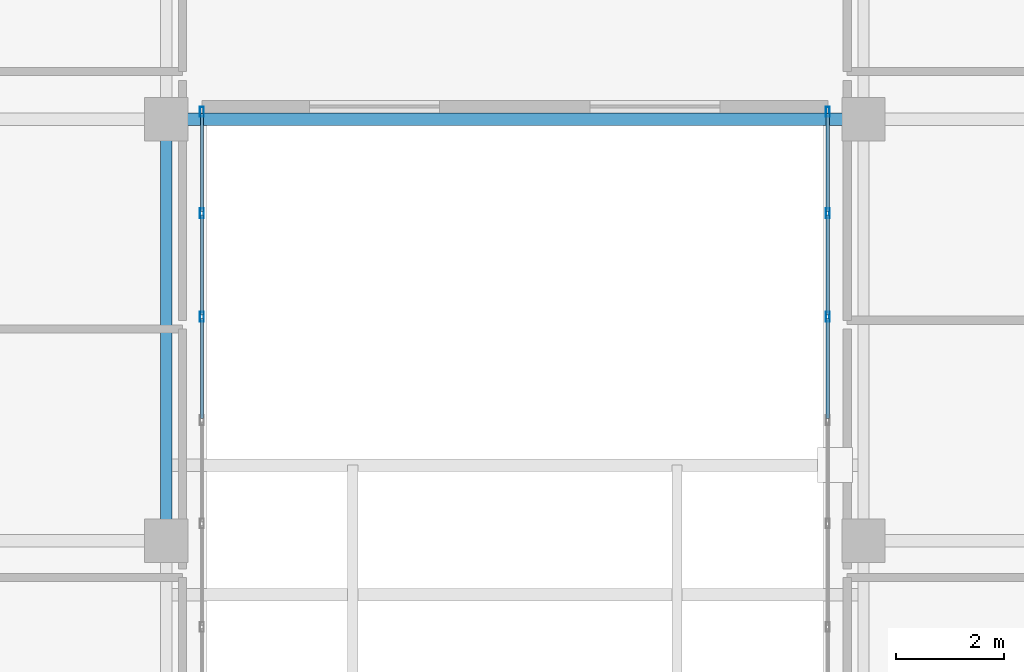
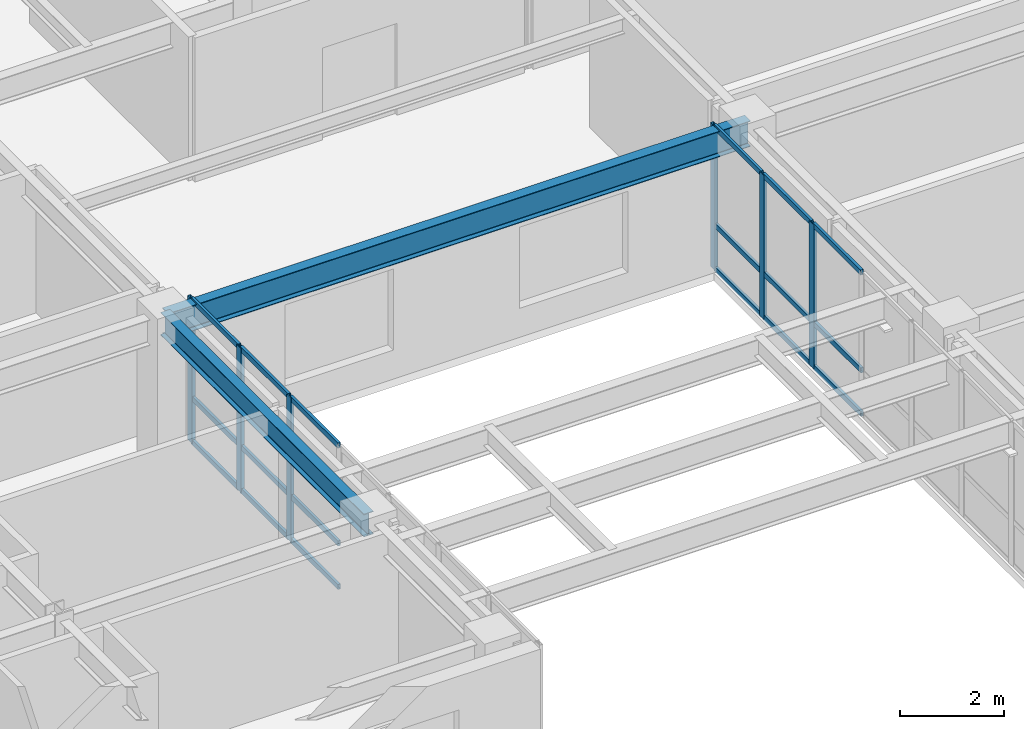
# One storey, part 4 of 15: 24 members, 2 beams, 2 elements without a shape of their own.
"""IFC4 building model written with IfcOpenShell, lengths in metres."""

import ifcopenshell
import ifcopenshell.guid

model = None  # the IFC model being written
_history = None  # IfcOwnerHistory: only IFC2X3 demands one
_inside = {}  # id of a spatial element -> (the spatial element, [elements in it])
_under = {}  # id of a project, library or spatial element -> (it, [spatial elements below it])
_declared = {}  # id of a project -> (the project, [libraries it declares])
_typed = {}  # id of a type object -> (the type object, [elements of that type])
_made_of = {}  # id of a material, layer set ... -> (it, [elements and type objects made of it])


def new_model(schema):
    """Start an empty IFC model of exactly this schema.

    Asked for "IFC4X3", IfcOpenShell would pick the latest addendum, in which some entities
    have other attributes; the version numbers below select the first issue.
    IFC2X3 requires an IfcOwnerHistory on every rooted entity: one is made here for all.
    """
    global model, _history
    if schema == "IFC4X3":
        model = ifcopenshell.file(schema_version=(4, 3, 0, 0))
    else:
        model = ifcopenshell.file(schema=schema)
    _inside.clear()
    _under.clear()
    _declared.clear()
    _typed.clear()
    _made_of.clear()
    _history = None
    if model.schema == "IFC2X3":
        org = make("IfcOrganization", Name="unknown")
        user = make(
            "IfcPersonAndOrganization",
            ThePerson=make("IfcPerson", FamilyName="unknown"),
            TheOrganization=org,
        )
        app = make(
            "IfcApplication",
            ApplicationDeveloper=org,
            Version="unknown",
            ApplicationFullName="unknown",
            ApplicationIdentifier="unknown",
        )
        _history = make(
            "IfcOwnerHistory",
            OwningUser=user,
            OwningApplication=app,
            ChangeAction="ADDED",
            CreationDate=0,
        )
    return model


def make(cls, **values):
    """One entity of the class cls with the attributes given. An attribute that is None is left unset."""
    return model.create_entity(
        cls, **{name: value for name, value in values.items() if value is not None}
    )


def rooted(cls, **values):
    """An entity with a GlobalId (a new one), such as an element, a storey or a relation."""
    return make(cls, GlobalId=ifcopenshell.guid.new(), OwnerHistory=_history, **values)


def si_unit(unit_type, name, prefix=None):
    """IfcSIUnit, for example si_unit("LENGTHUNIT", "METRE", prefix="MILLI")."""
    return make("IfcSIUnit", UnitType=unit_type, Prefix=prefix, Name=name)


def assignment(units):
    """IfcUnitAssignment: the units of a project."""
    return None if units is None else make("IfcUnitAssignment", Units=units)


def point(xyz):
    """IfcCartesianPoint."""
    return None if xyz is None else make("IfcCartesianPoint", Coordinates=xyz)


def direction(xyz):
    """IfcDirection."""
    return None if xyz is None else make("IfcDirection", DirectionRatios=xyz)


def frame(location, z_axis=None, x_axis=None):
    """IfcAxis2Placement3D, a coordinate frame: its origin and axes. An axis left out is left unset."""
    return make(
        "IfcAxis2Placement3D",
        Location=point(location),
        Axis=direction(z_axis),
        RefDirection=direction(x_axis),
    )


def frame_2d(location, x_axis=None):
    """IfcAxis2Placement2D, a coordinate frame in the plane: its origin and x axis."""
    return make(
        "IfcAxis2Placement2D", Location=point(location), RefDirection=direction(x_axis)
    )


def origin():
    """The frame at (0, 0, 0) with its axes left unset."""
    return frame((0.0, 0.0, 0.0))


def origin_2d():
    """The frame at (0, 0) in the plane with its x axis left unset."""
    return frame_2d((0.0, 0.0))


def place(relative_to, where):
    """IfcLocalPlacement: puts the frame where relative to a parent placement (None: the world)."""
    return make(
        "IfcLocalPlacement", PlacementRelTo=relative_to, RelativePlacement=where
    )


def context(
    kind, dimensions, precision=None, world=None, true_north=None, identifier=None
):
    """IfcGeometricRepresentationContext, for example the 3D "Model" context."""
    return make(
        "IfcGeometricRepresentationContext",
        ContextIdentifier=identifier,
        ContextType=kind,
        CoordinateSpaceDimension=dimensions,
        Precision=precision,
        WorldCoordinateSystem=world,
        TrueNorth=true_north,
    )


def subcontext(parent, identifier, kind, view, scale=None):
    """IfcGeometricRepresentationSubContext, for example "Body" below "Model"."""
    return make(
        "IfcGeometricRepresentationSubContext",
        ContextIdentifier=identifier,
        ContextType=kind,
        ParentContext=parent,
        TargetScale=scale,
        TargetView=view,
    )


def project(units=None, contexts=None):
    """IfcProject with its units and contexts."""
    return rooted(
        "IfcProject",
        Name="project",
        RepresentationContexts=contexts,
        UnitsInContext=assignment(units),
    )


def spatial(cls, under=None, at=None, **own):
    """A site, building, storey or space (cls), placed at a placement, below another one or the project."""
    s = rooted(cls, ObjectPlacement=at, **own)
    if under is not None:
        _under.setdefault(under.id(), (under, []))[1].append(s)
    return s


def profile(cls, at=None, kind="AREA", **sizes):
    """A parametric profile (cls). Its sizes go by their IFC names, for example OverallWidth=200.0."""
    return make(cls, ProfileType=kind, Position=at, **sizes)


def hollow_rectangle(**sizes):
    """IfcRectangleHollowProfileDef."""
    return profile("IfcRectangleHollowProfileDef", **sizes)


def i_section(**sizes):
    """IfcIShapeProfileDef."""
    return profile("IfcIShapeProfileDef", **sizes)


def extrude(swept, where, along, depth):
    """IfcExtrudedAreaSolid: the profile swept, set in the frame where, extruded along a direction by depth."""
    return make(
        "IfcExtrudedAreaSolid",
        SweptArea=swept,
        Position=where,
        ExtrudedDirection=direction(along),
        Depth=depth,
    )


def shape(context_of_items, identifier, shape_type, items):
    """IfcShapeRepresentation: the items that make up one representation, for example the "Body"."""
    return make(
        "IfcShapeRepresentation",
        ContextOfItems=context_of_items,
        RepresentationIdentifier=identifier,
        RepresentationType=shape_type,
        Items=items,
    )


def source(mapping_origin, context_of_items, identifier, shape_type, items):
    """IfcRepresentationMap: a shape defined once, which mapped items show again and again."""
    return make(
        "IfcRepresentationMap",
        MappingOrigin=mapping_origin,
        MappedRepresentation=shape(context_of_items, identifier, shape_type, items),
    )


def transform(
    local_origin,
    x_axis=None,
    y_axis=None,
    z_axis=None,
    scale=None,
    scale2=None,
    scale3=None,
    uniform=True,
):
    """IfcCartesianTransformationOperator3D, or its non-uniform kind. x_axis, y_axis, z_axis: its Axis1, 2, 3."""
    if uniform:
        return make(
            "IfcCartesianTransformationOperator3D",
            Axis1=direction(x_axis),
            Axis2=direction(y_axis),
            LocalOrigin=point(local_origin),
            Scale=scale,
            Axis3=direction(z_axis),
        )
    return make(
        "IfcCartesianTransformationOperator3DnonUniform",
        Axis1=direction(x_axis),
        Axis2=direction(y_axis),
        LocalOrigin=point(local_origin),
        Scale=scale,
        Axis3=direction(z_axis),
        Scale2=scale2,
        Scale3=scale3,
    )


def mapped(mapping_source, mapping_target):
    """IfcMappedItem: shows the shape of a source again, moved by a transform."""
    return make(
        "IfcMappedItem", MappingSource=mapping_source, MappingTarget=mapping_target
    )


def material(Name=None, Category=None):
    """IfcMaterial."""
    return make("IfcMaterial", Name=Name, Category=Category)


def layer(
    of_material, thickness, ventilated=None, Name=None, Category=None, Priority=None
):
    """IfcMaterialLayer: one layer of a wall or slab, of a material (None: an air gap)."""
    return make(
        "IfcMaterialLayer",
        Material=of_material,
        LayerThickness=thickness,
        IsVentilated=ventilated,
        Name=Name,
        Category=Category,
        Priority=Priority,
    )


def layer_set(layers, Name=None):
    """IfcMaterialLayerSet."""
    return make("IfcMaterialLayerSet", MaterialLayers=layers, LayerSetName=Name)


def material_profile(
    of_material, cross_section, Name=None, Category=None, Priority=None
):
    """IfcMaterialProfile: a cross section and its material."""
    return make(
        "IfcMaterialProfile",
        Name=Name,
        Material=of_material,
        Profile=cross_section,
        Priority=Priority,
        Category=Category,
    )


def profile_set(profiles, Name=None, composite=None):
    """IfcMaterialProfileSet."""
    return make(
        "IfcMaterialProfileSet",
        Name=Name,
        MaterialProfiles=profiles,
        CompositeProfile=composite,
    )


def made_of(thing, what):
    """Note that an element or type object is made of a material, layer set ...; save() writes the relation."""
    if what is not None:
        _made_of.setdefault(what.id(), (what, []))[1].append(thing)
    return thing


def type_object(cls, material=None, **own):
    """A type object (cls), such as IfcWallType, which elements share."""
    return made_of(rooted(cls, **own), material)


def type_shapes(of_type, sources):
    """Give a type object the sources (RepresentationMaps) that its elements show as mapped items."""
    of_type.RepresentationMaps = sources


def element(
    cls,
    number,
    at=None,
    inside=None,
    cuts=None,
    type_object=None,
    material=None,
    context=None,
    identifier="Body",
    shape_type=None,
    held_by="IfcProductDefinitionShape",
    body=None,
    shapes=None,
    **own,
):
    """One element of the class cls, such as IfcWall. Its Tag is "e" and its number.

    at: its placement. inside: the storey or other place that contains it. cuts: it is an
    opening in that element (IfcRelVoidsElement). A single representation is given by context,
    identifier, shape_type and body (its items); several are given by shapes. held_by: the class
    of the entity that holds the representations. save() writes the other relations.
    """
    e = rooted(cls, Tag="e%d" % number, ObjectPlacement=at, **own)
    if body is not None:
        shapes = [shape(context, identifier, shape_type, body)]
    if shapes is not None:
        e.Representation = make(held_by, Representations=shapes)
    if inside is not None:
        _inside.setdefault(inside.id(), (inside, []))[1].append(e)
    if cuts is not None:
        rooted(
            "IfcRelVoidsElement", RelatingBuildingElement=cuts, RelatedOpeningElement=e
        )
    if type_object is not None:
        _typed.setdefault(type_object.id(), (type_object, []))[1].append(e)
    return made_of(e, material)


def aggregate(whole, parts):
    """IfcRelAggregates: a whole, such as a stair, and the parts it consists of."""
    return rooted("IfcRelAggregates", RelatingObject=whole, RelatedObjects=parts)


def save(model, path):
    """Write the relations noted so far, then the file.

    IfcRelAggregates (storeys below a building ...), IfcRelContainedInSpatialStructure (elements
    in a storey), IfcRelDefinesByType, IfcRelAssociatesMaterial and IfcRelDeclares: one each for
    every whole, place, type object, material and project.
    """
    for whole, parts in _under.values():
        aggregate(whole, parts)
    for where, things in _inside.values():
        rooted(
            "IfcRelContainedInSpatialStructure",
            RelatedElements=things,
            RelatingStructure=where,
        )
    for kind, things in _typed.values():
        rooted("IfcRelDefinesByType", RelatedObjects=things, RelatingType=kind)
    for what, things in _made_of.values():
        rooted("IfcRelAssociatesMaterial", RelatedObjects=things, RelatingMaterial=what)
    for by, libraries in _declared.values():
        rooted("IfcRelDeclares", RelatingContext=by, RelatedDefinitions=libraries)
    model.write(path)


model = new_model("IFC4")

# Units and contexts
model_context = context("Model", 3, precision=1e-05, world=origin(), true_north=direction((0.0, 1.0)))
body_context = subcontext(model_context, "Body", "Model", "MODEL_VIEW")
ifc_project = project(units=[si_unit("LENGTHUNIT", "METRE"), si_unit("AREAUNIT", "SQUARE_METRE"), si_unit("VOLUMEUNIT", "CUBIC_METRE"), si_unit("PLANEANGLEUNIT", "RADIAN"), si_unit("MASSUNIT", "GRAM", prefix="KILO")], contexts=[model_context])

# Site, building, storey
site_placement = place(None, origin())
site = spatial("IfcSite", under=ifc_project, at=site_placement, CompositionType="ELEMENT")
building_placement = place(site_placement, origin())
building = spatial("IfcBuilding", under=site, at=building_placement, Name="Tolvann Quenvar Hotel", CompositionType="ELEMENT")
storey_placement = place(building_placement, frame((0.0, 0.0, 164.800048828125)))
storey = spatial("IfcBuildingStorey", under=building, at=storey_placement, Name="L43", CompositionType="ELEMENT", Elevation=164.800048828125)

# Beams
ifc_material_1 = material(Name="Steel Grade 350", Category="steel")
ifc_material_profile_1 = material_profile(ifc_material_1, i_section(OverallWidth=0.208984375, OverallDepth=0.532958984375, WebThickness=0.01025390625, FlangeThickness=0.015625, FilletRadius=0.013916015625, at=origin_2d()), Name="530UB92")
ifc_profile_set_1 = profile_set([ifc_material_profile_1], Name="Steel Grade 350")
beam_type_1 = type_object("IfcBeamType", Name="BM_GIRD_530UB92", PredefinedType="BEAM", material=ifc_profile_set_1)
shared_shape_1 = source(origin(), body_context, "Body", "SweptSolid", [
    extrude(i_section(OverallWidth=0.208984375, OverallDepth=0.532958984375, WebThickness=0.01025390625, FlangeThickness=0.015625, FilletRadius=0.013916015625, at=origin_2d()), origin(), (0.0, 0.0, 1.0), 7.800048828125),
])
type_shapes(beam_type_1, [shared_shape_1])
beam_1_placement = place(storey_placement, frame((22.050048828125, 8.199951171875, 3.103515625), z_axis=(0.0, 1.0, 0.0), x_axis=(-1.0, 0.0, 0.0)))
element("IfcBeam", 1, at=beam_1_placement, inside=storey, type_object=beam_type_1, Name="BM-L43-NS-E3-E4", PredefinedType="BEAM", context=body_context, shape_type="MappedRepresentation", body=[
    mapped(shared_shape_1, transform((0.0, 0.0, 0.0), x_axis=(1.0, 0.0, 0.0), y_axis=(0.0, 1.0, 0.0), z_axis=(0.0, 0.0, 1.0), scale=1.0)),
])
ifc_material_profile_2 = material_profile(ifc_material_1, i_section(OverallWidth=0.22802734375, OverallDepth=0.60205078125, WebThickness=0.010498046875, FlangeThickness=0.014892578125, FilletRadius=0.013916015625, at=origin_2d()), Name="610UB101")
ifc_profile_set_2 = profile_set([ifc_material_profile_2], Name="Steel Grade 350")
beam_type_2 = type_object("IfcBeamType", Name="BM_GIRD_610UB101", PredefinedType="BEAM", material=ifc_profile_set_2)
shared_shape_2 = source(origin(), body_context, "Body", "SweptSolid", [
    extrude(i_section(OverallWidth=0.22802734375, OverallDepth=0.60205078125, WebThickness=0.010498046875, FlangeThickness=0.014892578125, FilletRadius=0.013916015625, at=origin_2d()), origin(), (0.0, 0.0, 1.0), 12.89990234375),
])
type_shapes(beam_type_2, [shared_shape_2])
beam_2_placement = place(storey_placement, frame((22.050048828125, 16.0, 3.06884765625), z_axis=(1.0, 0.0, 0.0), x_axis=(0.0, 1.0, 0.0)))
element("IfcBeam", 2, at=beam_2_placement, inside=storey, type_object=beam_type_2, Name="BM-L43-EW-4-E4-F4", PredefinedType="BEAM", context=body_context, shape_type="MappedRepresentation", body=[
    mapped(shared_shape_2, transform((0.0, 0.0, 0.0), x_axis=(1.0, 0.0, 0.0), y_axis=(0.0, 1.0, 0.0), z_axis=(0.0, 0.0, 1.0), scale=1.0)),
])

# Curtain wall, members
ifc_material_2 = material(Name="Thermally broken anodised architectural aluminium 6063-T6 and laminated low-E glass", Category="aluminium")
ifc_layer = layer(ifc_material_2, 0.179931640625)
ifc_layer_set = layer_set([ifc_layer], Name="Thermally broken anodised architectural aluminium 6063-T6 and laminated low-E glass")
curtain_wall_type = type_object("IfcCurtainWallType", Name="CW_SYS_SLOT_03", PredefinedType="USERDEFINED", material=ifc_layer_set)
curtain_wall_1_placement = place(storey_placement, origin())
curtain_wall_1 = element("IfcCurtainWall", 3, at=curtain_wall_1_placement, inside=storey, type_object=curtain_wall_type, Name="Curtain Wall CW-SLOT-03 (CWR-L43-E05)", ObjectType="UNITISED CURTAIN WALL", PredefinedType="USERDEFINED")
ifc_material_3 = material(Name="Anodised architectural aluminium 6063-T6 framing", Category="aluminium")
ifc_material_profile_3 = material_profile(ifc_material_3, hollow_rectangle(XDim=0.070068359375, YDim=0.179931640625, WallThickness=0.00390625, at=origin_2d()), Name="180x70x4RHS")
ifc_profile_set_3 = profile_set([ifc_material_profile_3], Name="Anodised architectural aluminium 6063-T6 framing")
member_type_1 = type_object("IfcMemberType", Name="CW_MULL_180x70", PredefinedType="MULLION", material=ifc_profile_set_3)
shared_shape_3 = source(origin(), body_context, "Body", "SweptSolid", [
    extrude(hollow_rectangle(XDim=0.070068359375, YDim=0.179931640625, WallThickness=0.00390625, at=origin_2d()), origin(), (0.0, 0.0, 1.0), 3.369873046875),
])
type_shapes(member_type_1, [shared_shape_3])
member_1_placement = place(storey_placement, frame((22.7099609375, 12.346435546875, 0.0), z_axis=(0.0, 0.0, 1.0), x_axis=(-1.0, 0.0, 0.0)))
member_1 = element("IfcMember", 4, at=member_1_placement, type_object=member_type_1, Name="CW-SLOT-03 mullion 6", PredefinedType="MULLION", context=body_context, shape_type="MappedRepresentation", body=[
    mapped(shared_shape_3, transform((0.0, 0.0, 0.0), x_axis=(1.0, 0.0, 0.0), y_axis=(0.0, 1.0, 0.0), z_axis=(0.0, 0.0, 1.0), scale=1.0)),
])
member_2_placement = place(storey_placement, frame((22.7099609375, 14.2607421875, 0.0), z_axis=(0.0, 0.0, 1.0), x_axis=(-1.0, 0.0, 0.0)))
member_2 = element("IfcMember", 5, at=member_2_placement, type_object=member_type_1, Name="CW-SLOT-03 mullion 7", PredefinedType="MULLION", context=body_context, shape_type="MappedRepresentation", body=[
    mapped(shared_shape_3, transform((0.0, 0.0, 0.0), x_axis=(1.0, 0.0, 0.0), y_axis=(0.0, 1.0, 0.0), z_axis=(0.0, 0.0, 1.0), scale=1.0)),
])
member_3_placement = place(storey_placement, frame((22.7099609375, 16.139892578125, 0.0), z_axis=(0.0, 0.0, 1.0), x_axis=(-1.0, 0.0, 0.0)))
member_3 = element("IfcMember", 6, at=member_3_placement, type_object=member_type_1, Name="CW-SLOT-03 mullion 8", PredefinedType="MULLION", context=body_context, shape_type="MappedRepresentation", body=[
    mapped(shared_shape_3, transform((0.0, 0.0, 0.0), x_axis=(1.0, 0.0, 0.0), y_axis=(0.0, 1.0, 0.0), z_axis=(0.0, 0.0, 1.0), scale=1.0)),
])

curtain_wall_2_placement = place(storey_placement, origin())
curtain_wall_2 = element("IfcCurtainWall", 7, at=curtain_wall_2_placement, inside=storey, type_object=curtain_wall_type, Name="Curtain Wall CW-SLOT-03 (CWR-L43-E07)", ObjectType="UNITISED CURTAIN WALL", PredefinedType="USERDEFINED")
member_4_placement = place(storey_placement, frame((34.2900390625, 16.139892578125, 0.0), z_axis=(0.0, 0.0, 1.0), x_axis=(1.0, 0.0, 0.0)))
member_4 = element("IfcMember", 8, at=member_4_placement, type_object=member_type_1, Name="CW-SLOT-03 mullion 1", PredefinedType="MULLION", context=body_context, shape_type="MappedRepresentation", body=[
    mapped(shared_shape_3, transform((0.0, 0.0, 0.0), x_axis=(1.0, 0.0, 0.0), y_axis=(0.0, 1.0, 0.0), z_axis=(0.0, 0.0, 1.0), scale=1.0)),
])
member_5_placement = place(storey_placement, frame((34.2900390625, 14.2607421875, 0.0), z_axis=(0.0, 0.0, 1.0), x_axis=(1.0, 0.0, 0.0)))
member_5 = element("IfcMember", 9, at=member_5_placement, type_object=member_type_1, Name="CW-SLOT-03 mullion 2", PredefinedType="MULLION", context=body_context, shape_type="MappedRepresentation", body=[
    mapped(shared_shape_3, transform((0.0, 0.0, 0.0), x_axis=(1.0, 0.0, 0.0), y_axis=(0.0, 1.0, 0.0), z_axis=(0.0, 0.0, 1.0), scale=1.0)),
])
member_6_placement = place(storey_placement, frame((34.2900390625, 12.346435546875, 0.0), z_axis=(0.0, 0.0, 1.0), x_axis=(1.0, 0.0, 0.0)))
member_6 = element("IfcMember", 10, at=member_6_placement, type_object=member_type_1, Name="CW-SLOT-03 mullion 3", PredefinedType="MULLION", context=body_context, shape_type="MappedRepresentation", body=[
    mapped(shared_shape_3, transform((0.0, 0.0, 0.0), x_axis=(1.0, 0.0, 0.0), y_axis=(0.0, 1.0, 0.0), z_axis=(0.0, 0.0, 1.0), scale=1.0)),
])

# Member
ifc_material_profile_4 = material_profile(ifc_material_3, hollow_rectangle(XDim=0.06005859375, YDim=0.1201171875, WallThickness=0.00341796875, at=origin_2d()), Name="120x60x3.5RHS")
ifc_profile_set_4 = profile_set([ifc_material_profile_4], Name="Anodised architectural aluminium 6063-T6 framing")
member_type_2 = type_object("IfcMemberType", Name="CW_TRAN_120x60", PredefinedType="USERDEFINED", material=ifc_profile_set_4)
shared_shape_4 = source(origin(), body_context, "Body", "SweptSolid", [
    extrude(hollow_rectangle(XDim=0.06005859375, YDim=0.1201171875, WallThickness=0.00341796875, at=origin_2d()), origin(), (0.0, 0.0, 1.0), 1.809326171875),
])
member_7_placement = place(storey_placement, frame((22.7099609375, 14.295654296875, 0.030029296875), z_axis=(0.0, 1.0, 0.0), x_axis=(-1.0, 0.0, 0.0)))
member_7 = element("IfcMember", 11, at=member_7_placement, type_object=member_type_2, Name="CW-SLOT-03 transom 7.1", ObjectType="TRANSOM", PredefinedType="USERDEFINED", context=body_context, shape_type="MappedRepresentation", body=[
    mapped(shared_shape_4, transform((0.0, 0.0, 0.0), x_axis=(1.0, 0.0, 0.0), y_axis=(0.0, 1.0, 0.0), z_axis=(0.0, 0.0, 1.0), scale=1.0)),
])

member_8_placement = place(storey_placement, frame((22.7099609375, 14.295654296875, 1.050048828125), z_axis=(0.0, 1.0, 0.0), x_axis=(-1.0, 0.0, 0.0)))
member_8 = element("IfcMember", 12, at=member_8_placement, type_object=member_type_2, Name="CW-SLOT-03 transom 7.2", ObjectType="TRANSOM", PredefinedType="USERDEFINED", context=body_context, shape_type="MappedRepresentation", body=[
    mapped(shared_shape_4, transform((0.0, 0.0, 0.0), x_axis=(1.0, 0.0, 0.0), y_axis=(0.0, 1.0, 0.0), z_axis=(0.0, 0.0, 1.0), scale=1.0)),
])

member_9_placement = place(storey_placement, frame((22.7099609375, 14.295654296875, 3.33984375), z_axis=(0.0, 1.0, 0.0), x_axis=(-1.0, 0.0, 0.0)))
member_9 = element("IfcMember", 13, at=member_9_placement, type_object=member_type_2, Name="CW-SLOT-03 transom 7.3", ObjectType="TRANSOM", PredefinedType="USERDEFINED", context=body_context, shape_type="MappedRepresentation", body=[
    mapped(shared_shape_4, transform((0.0, 0.0, 0.0), x_axis=(1.0, 0.0, 0.0), y_axis=(0.0, 1.0, 0.0), z_axis=(0.0, 0.0, 1.0), scale=1.0)),
])

member_10_placement = place(storey_placement, frame((34.2900390625, 16.10498046875, 0.030029296875), z_axis=(0.0, -1.0, 0.0), x_axis=(1.0, 0.0, 0.0)))
member_10 = element("IfcMember", 14, at=member_10_placement, type_object=member_type_2, Name="CW-SLOT-03 transom 1.1", ObjectType="TRANSOM", PredefinedType="USERDEFINED", context=body_context, shape_type="MappedRepresentation", body=[
    mapped(shared_shape_4, transform((0.0, 0.0, 0.0), x_axis=(1.0, 0.0, 0.0), y_axis=(0.0, 1.0, 0.0), z_axis=(0.0, 0.0, 1.0), scale=1.0)),
])

member_11_placement = place(storey_placement, frame((34.2900390625, 16.10498046875, 1.050048828125), z_axis=(0.0, -1.0, 0.0), x_axis=(1.0, 0.0, 0.0)))
member_11 = element("IfcMember", 15, at=member_11_placement, type_object=member_type_2, Name="CW-SLOT-03 transom 1.2", ObjectType="TRANSOM", PredefinedType="USERDEFINED", context=body_context, shape_type="MappedRepresentation", body=[
    mapped(shared_shape_4, transform((0.0, 0.0, 0.0), x_axis=(1.0, 0.0, 0.0), y_axis=(0.0, 1.0, 0.0), z_axis=(0.0, 0.0, 1.0), scale=1.0)),
])

member_12_placement = place(storey_placement, frame((34.2900390625, 16.10498046875, 3.33984375), z_axis=(0.0, -1.0, 0.0), x_axis=(1.0, 0.0, 0.0)))
member_12 = element("IfcMember", 16, at=member_12_placement, type_object=member_type_2, Name="CW-SLOT-03 transom 1.3", ObjectType="TRANSOM", PredefinedType="USERDEFINED", context=body_context, shape_type="MappedRepresentation", body=[
    mapped(shared_shape_4, transform((0.0, 0.0, 0.0), x_axis=(1.0, 0.0, 0.0), y_axis=(0.0, 1.0, 0.0), z_axis=(0.0, 0.0, 1.0), scale=1.0)),
])

shared_shape_5 = source(origin(), body_context, "Body", "SweptSolid", [
    extrude(hollow_rectangle(XDim=0.06005859375, YDim=0.1201171875, WallThickness=0.00341796875, at=origin_2d()), origin(), (0.0, 0.0, 1.0), 1.844482421875),
])
type_shapes(member_type_2, [shared_shape_4, shared_shape_5])
member_13_placement = place(storey_placement, frame((22.7099609375, 10.467041015625, 0.030029296875), z_axis=(0.0, 1.0, 0.0), x_axis=(-1.0, 0.0, 0.0)))
member_13 = element("IfcMember", 17, at=member_13_placement, type_object=member_type_2, Name="CW-SLOT-03 transom 5.1", ObjectType="TRANSOM", PredefinedType="USERDEFINED", context=body_context, shape_type="MappedRepresentation", body=[
    mapped(shared_shape_5, transform((0.0, 0.0, 0.0), x_axis=(1.0, 0.0, 0.0), y_axis=(0.0, 1.0, 0.0), z_axis=(0.0, 0.0, 1.0), scale=1.0)),
])

member_14_placement = place(storey_placement, frame((22.7099609375, 10.467041015625, 1.050048828125), z_axis=(0.0, 1.0, 0.0), x_axis=(-1.0, 0.0, 0.0)))
member_14 = element("IfcMember", 18, at=member_14_placement, type_object=member_type_2, Name="CW-SLOT-03 transom 5.2", ObjectType="TRANSOM", PredefinedType="USERDEFINED", context=body_context, shape_type="MappedRepresentation", body=[
    mapped(shared_shape_5, transform((0.0, 0.0, 0.0), x_axis=(1.0, 0.0, 0.0), y_axis=(0.0, 1.0, 0.0), z_axis=(0.0, 0.0, 1.0), scale=1.0)),
])

member_15_placement = place(storey_placement, frame((22.7099609375, 10.467041015625, 3.33984375), z_axis=(0.0, 1.0, 0.0), x_axis=(-1.0, 0.0, 0.0)))
member_15 = element("IfcMember", 19, at=member_15_placement, type_object=member_type_2, Name="CW-SLOT-03 transom 5.3", ObjectType="TRANSOM", PredefinedType="USERDEFINED", context=body_context, shape_type="MappedRepresentation", body=[
    mapped(shared_shape_5, transform((0.0, 0.0, 0.0), x_axis=(1.0, 0.0, 0.0), y_axis=(0.0, 1.0, 0.0), z_axis=(0.0, 0.0, 1.0), scale=1.0)),
])

member_16_placement = place(storey_placement, frame((22.7099609375, 12.38134765625, 0.030029296875), z_axis=(0.0, 1.0, 0.0), x_axis=(-1.0, 0.0, 0.0)))
member_16 = element("IfcMember", 20, at=member_16_placement, type_object=member_type_2, Name="CW-SLOT-03 transom 6.1", ObjectType="TRANSOM", PredefinedType="USERDEFINED", context=body_context, shape_type="MappedRepresentation", body=[
    mapped(shared_shape_5, transform((0.0, 0.0, 0.0), x_axis=(1.0, 0.0, 0.0), y_axis=(0.0, 1.0, 0.0), z_axis=(0.0, 0.0, 1.0), scale=1.0)),
])

member_17_placement = place(storey_placement, frame((22.7099609375, 12.38134765625, 1.050048828125), z_axis=(0.0, 1.0, 0.0), x_axis=(-1.0, 0.0, 0.0)))
member_17 = element("IfcMember", 21, at=member_17_placement, type_object=member_type_2, Name="CW-SLOT-03 transom 6.2", ObjectType="TRANSOM", PredefinedType="USERDEFINED", context=body_context, shape_type="MappedRepresentation", body=[
    mapped(shared_shape_5, transform((0.0, 0.0, 0.0), x_axis=(1.0, 0.0, 0.0), y_axis=(0.0, 1.0, 0.0), z_axis=(0.0, 0.0, 1.0), scale=1.0)),
])

member_18_placement = place(storey_placement, frame((22.7099609375, 12.38134765625, 3.33984375), z_axis=(0.0, 1.0, 0.0), x_axis=(-1.0, 0.0, 0.0)))
member_18 = element("IfcMember", 22, at=member_18_placement, type_object=member_type_2, Name="CW-SLOT-03 transom 6.3", ObjectType="TRANSOM", PredefinedType="USERDEFINED", context=body_context, shape_type="MappedRepresentation", body=[
    mapped(shared_shape_5, transform((0.0, 0.0, 0.0), x_axis=(1.0, 0.0, 0.0), y_axis=(0.0, 1.0, 0.0), z_axis=(0.0, 0.0, 1.0), scale=1.0)),
])

aggregate(curtain_wall_1, [member_1, member_2, member_3, member_13, member_14, member_15, member_16, member_17, member_18, member_7, member_8, member_9])

member_19_placement = place(storey_placement, frame((34.2900390625, 14.225830078125, 0.030029296875), z_axis=(0.0, -1.0, 0.0), x_axis=(1.0, 0.0, 0.0)))
member_19 = element("IfcMember", 23, at=member_19_placement, type_object=member_type_2, Name="CW-SLOT-03 transom 2.1", ObjectType="TRANSOM", PredefinedType="USERDEFINED", context=body_context, shape_type="MappedRepresentation", body=[
    mapped(shared_shape_5, transform((0.0, 0.0, 0.0), x_axis=(1.0, 0.0, 0.0), y_axis=(0.0, 1.0, 0.0), z_axis=(0.0, 0.0, 1.0), scale=1.0)),
])

member_20_placement = place(storey_placement, frame((34.2900390625, 14.225830078125, 1.050048828125), z_axis=(0.0, -1.0, 0.0), x_axis=(1.0, 0.0, 0.0)))
member_20 = element("IfcMember", 24, at=member_20_placement, type_object=member_type_2, Name="CW-SLOT-03 transom 2.2", ObjectType="TRANSOM", PredefinedType="USERDEFINED", context=body_context, shape_type="MappedRepresentation", body=[
    mapped(shared_shape_5, transform((0.0, 0.0, 0.0), x_axis=(1.0, 0.0, 0.0), y_axis=(0.0, 1.0, 0.0), z_axis=(0.0, 0.0, 1.0), scale=1.0)),
])

member_21_placement = place(storey_placement, frame((34.2900390625, 14.225830078125, 3.33984375), z_axis=(0.0, -1.0, 0.0), x_axis=(1.0, 0.0, 0.0)))
member_21 = element("IfcMember", 25, at=member_21_placement, type_object=member_type_2, Name="CW-SLOT-03 transom 2.3", ObjectType="TRANSOM", PredefinedType="USERDEFINED", context=body_context, shape_type="MappedRepresentation", body=[
    mapped(shared_shape_5, transform((0.0, 0.0, 0.0), x_axis=(1.0, 0.0, 0.0), y_axis=(0.0, 1.0, 0.0), z_axis=(0.0, 0.0, 1.0), scale=1.0)),
])

member_22_placement = place(storey_placement, frame((34.2900390625, 12.3115234375, 0.030029296875), z_axis=(0.0, -1.0, 0.0), x_axis=(1.0, 0.0, 0.0)))
member_22 = element("IfcMember", 26, at=member_22_placement, type_object=member_type_2, Name="CW-SLOT-03 transom 3.1", ObjectType="TRANSOM", PredefinedType="USERDEFINED", context=body_context, shape_type="MappedRepresentation", body=[
    mapped(shared_shape_5, transform((0.0, 0.0, 0.0), x_axis=(1.0, 0.0, 0.0), y_axis=(0.0, 1.0, 0.0), z_axis=(0.0, 0.0, 1.0), scale=1.0)),
])

member_23_placement = place(storey_placement, frame((34.2900390625, 12.3115234375, 1.050048828125), z_axis=(0.0, -1.0, 0.0), x_axis=(1.0, 0.0, 0.0)))
member_23 = element("IfcMember", 27, at=member_23_placement, type_object=member_type_2, Name="CW-SLOT-03 transom 3.2", ObjectType="TRANSOM", PredefinedType="USERDEFINED", context=body_context, shape_type="MappedRepresentation", body=[
    mapped(shared_shape_5, transform((0.0, 0.0, 0.0), x_axis=(1.0, 0.0, 0.0), y_axis=(0.0, 1.0, 0.0), z_axis=(0.0, 0.0, 1.0), scale=1.0)),
])

member_24_placement = place(storey_placement, frame((34.2900390625, 12.3115234375, 3.33984375), z_axis=(0.0, -1.0, 0.0), x_axis=(1.0, 0.0, 0.0)))
member_24 = element("IfcMember", 28, at=member_24_placement, type_object=member_type_2, Name="CW-SLOT-03 transom 3.3", ObjectType="TRANSOM", PredefinedType="USERDEFINED", context=body_context, shape_type="MappedRepresentation", body=[
    mapped(shared_shape_5, transform((0.0, 0.0, 0.0), x_axis=(1.0, 0.0, 0.0), y_axis=(0.0, 1.0, 0.0), z_axis=(0.0, 0.0, 1.0), scale=1.0)),
])

aggregate(curtain_wall_2, [member_4, member_5, member_6, member_10, member_11, member_12, member_19, member_20, member_21, member_22, member_23, member_24])

save(model, "model.ifc")
